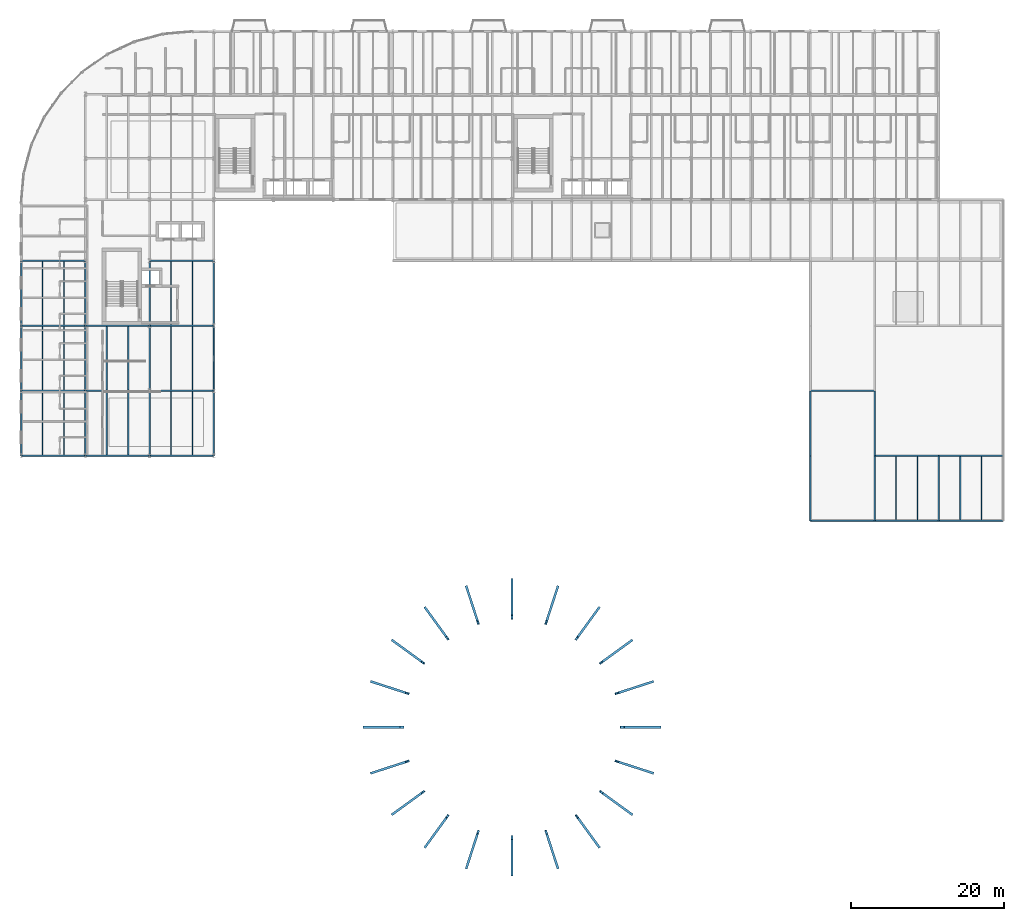
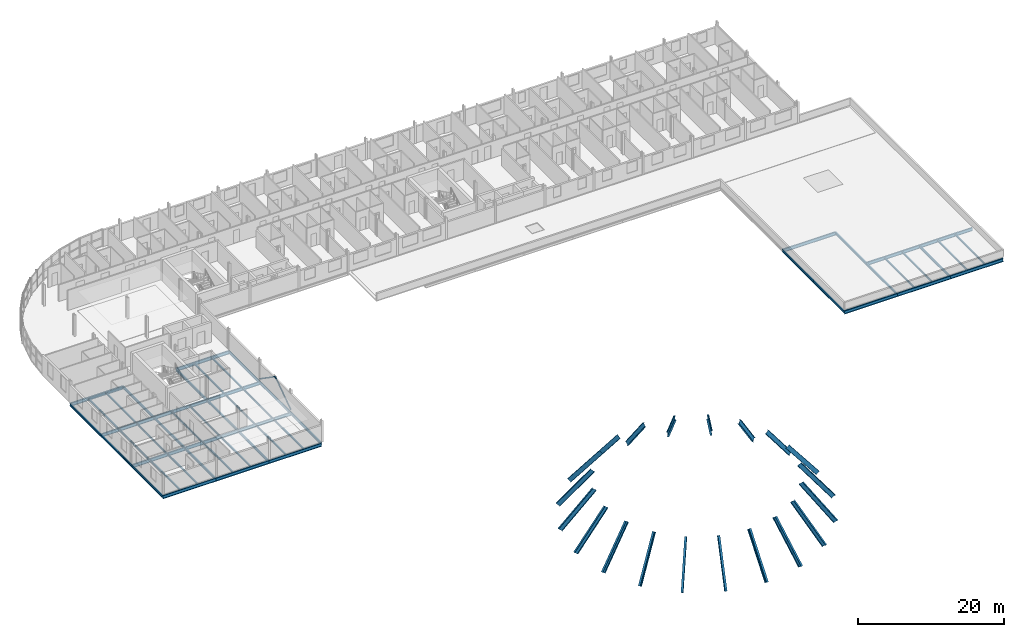
# One storey, part 8 of 36: 54 beams, 22 members.
"""IFC4 building model written with IfcOpenShell, lengths in metres."""

import ifcopenshell
import ifcopenshell.guid

model = None  # the IFC model being written
_history = None  # IfcOwnerHistory: only IFC2X3 demands one
_inside = {}  # id of a spatial element -> (the spatial element, [elements in it])
_under = {}  # id of a project, library or spatial element -> (it, [spatial elements below it])
_declared = {}  # id of a project -> (the project, [libraries it declares])
_typed = {}  # id of a type object -> (the type object, [elements of that type])
_made_of = {}  # id of a material, layer set ... -> (it, [elements and type objects made of it])


def new_model(schema):
    """Start an empty IFC model of exactly this schema.

    Asked for "IFC4X3", IfcOpenShell would pick the latest addendum, in which some entities
    have other attributes; the version numbers below select the first issue.
    IFC2X3 requires an IfcOwnerHistory on every rooted entity: one is made here for all.
    """
    global model, _history
    if schema == "IFC4X3":
        model = ifcopenshell.file(schema_version=(4, 3, 0, 0))
    else:
        model = ifcopenshell.file(schema=schema)
    _inside.clear()
    _under.clear()
    _declared.clear()
    _typed.clear()
    _made_of.clear()
    _history = None
    if model.schema == "IFC2X3":
        org = make("IfcOrganization", Name="unknown")
        user = make(
            "IfcPersonAndOrganization",
            ThePerson=make("IfcPerson", FamilyName="unknown"),
            TheOrganization=org,
        )
        app = make(
            "IfcApplication",
            ApplicationDeveloper=org,
            Version="unknown",
            ApplicationFullName="unknown",
            ApplicationIdentifier="unknown",
        )
        _history = make(
            "IfcOwnerHistory",
            OwningUser=user,
            OwningApplication=app,
            ChangeAction="ADDED",
            CreationDate=0,
        )
    return model


def make(cls, **values):
    """One entity of the class cls with the attributes given. An attribute that is None is left unset."""
    return model.create_entity(
        cls, **{name: value for name, value in values.items() if value is not None}
    )


def rooted(cls, **values):
    """An entity with a GlobalId (a new one), such as an element, a storey or a relation."""
    return make(cls, GlobalId=ifcopenshell.guid.new(), OwnerHistory=_history, **values)


def si_unit(unit_type, name, prefix=None):
    """IfcSIUnit, for example si_unit("LENGTHUNIT", "METRE", prefix="MILLI")."""
    return make("IfcSIUnit", UnitType=unit_type, Prefix=prefix, Name=name)


def assignment(units):
    """IfcUnitAssignment: the units of a project."""
    return None if units is None else make("IfcUnitAssignment", Units=units)


def point(xyz):
    """IfcCartesianPoint."""
    return None if xyz is None else make("IfcCartesianPoint", Coordinates=xyz)


def direction(xyz):
    """IfcDirection."""
    return None if xyz is None else make("IfcDirection", DirectionRatios=xyz)


def frame(location, z_axis=None, x_axis=None):
    """IfcAxis2Placement3D, a coordinate frame: its origin and axes. An axis left out is left unset."""
    return make(
        "IfcAxis2Placement3D",
        Location=point(location),
        Axis=direction(z_axis),
        RefDirection=direction(x_axis),
    )


def frame_2d(location, x_axis=None):
    """IfcAxis2Placement2D, a coordinate frame in the plane: its origin and x axis."""
    return make(
        "IfcAxis2Placement2D", Location=point(location), RefDirection=direction(x_axis)
    )


def origin():
    """The frame at (0, 0, 0) with its axes left unset."""
    return frame((0.0, 0.0, 0.0))


def origin_2d():
    """The frame at (0, 0) in the plane with its x axis left unset."""
    return frame_2d((0.0, 0.0))


def place(relative_to, where):
    """IfcLocalPlacement: puts the frame where relative to a parent placement (None: the world)."""
    return make(
        "IfcLocalPlacement", PlacementRelTo=relative_to, RelativePlacement=where
    )


def context(
    kind, dimensions, precision=None, world=None, true_north=None, identifier=None
):
    """IfcGeometricRepresentationContext, for example the 3D "Model" context."""
    return make(
        "IfcGeometricRepresentationContext",
        ContextIdentifier=identifier,
        ContextType=kind,
        CoordinateSpaceDimension=dimensions,
        Precision=precision,
        WorldCoordinateSystem=world,
        TrueNorth=true_north,
    )


def subcontext(parent, identifier, kind, view, scale=None):
    """IfcGeometricRepresentationSubContext, for example "Body" below "Model"."""
    return make(
        "IfcGeometricRepresentationSubContext",
        ContextIdentifier=identifier,
        ContextType=kind,
        ParentContext=parent,
        TargetScale=scale,
        TargetView=view,
    )


def project(units=None, contexts=None):
    """IfcProject with its units and contexts."""
    return rooted(
        "IfcProject",
        Name="project",
        RepresentationContexts=contexts,
        UnitsInContext=assignment(units),
    )


def spatial(cls, under=None, at=None, **own):
    """A site, building, storey or space (cls), placed at a placement, below another one or the project."""
    s = rooted(cls, ObjectPlacement=at, **own)
    if under is not None:
        _under.setdefault(under.id(), (under, []))[1].append(s)
    return s


def profile(cls, at=None, kind="AREA", **sizes):
    """A parametric profile (cls). Its sizes go by their IFC names, for example OverallWidth=200.0."""
    return make(cls, ProfileType=kind, Position=at, **sizes)


def hollow_circle(**sizes):
    """IfcCircleHollowProfileDef."""
    return profile("IfcCircleHollowProfileDef", **sizes)


def i_section(**sizes):
    """IfcIShapeProfileDef."""
    return profile("IfcIShapeProfileDef", **sizes)


def extrude(swept, where, along, depth):
    """IfcExtrudedAreaSolid: the profile swept, set in the frame where, extruded along a direction by depth."""
    return make(
        "IfcExtrudedAreaSolid",
        SweptArea=swept,
        Position=where,
        ExtrudedDirection=direction(along),
        Depth=depth,
    )


def shape(context_of_items, identifier, shape_type, items):
    """IfcShapeRepresentation: the items that make up one representation, for example the "Body"."""
    return make(
        "IfcShapeRepresentation",
        ContextOfItems=context_of_items,
        RepresentationIdentifier=identifier,
        RepresentationType=shape_type,
        Items=items,
    )


def material(Name=None, Category=None):
    """IfcMaterial."""
    return make("IfcMaterial", Name=Name, Category=Category)


def material_profile(
    of_material, cross_section, Name=None, Category=None, Priority=None
):
    """IfcMaterialProfile: a cross section and its material."""
    return make(
        "IfcMaterialProfile",
        Name=Name,
        Material=of_material,
        Profile=cross_section,
        Priority=Priority,
        Category=Category,
    )


def profile_set(profiles, Name=None, composite=None):
    """IfcMaterialProfileSet."""
    return make(
        "IfcMaterialProfileSet",
        Name=Name,
        MaterialProfiles=profiles,
        CompositeProfile=composite,
    )


def made_of(thing, what):
    """Note that an element or type object is made of a material, layer set ...; save() writes the relation."""
    if what is not None:
        _made_of.setdefault(what.id(), (what, []))[1].append(thing)
    return thing


def type_object(cls, material=None, **own):
    """A type object (cls), such as IfcWallType, which elements share."""
    return made_of(rooted(cls, **own), material)


def element(
    cls,
    number,
    at=None,
    inside=None,
    cuts=None,
    type_object=None,
    material=None,
    context=None,
    identifier="Body",
    shape_type=None,
    held_by="IfcProductDefinitionShape",
    body=None,
    shapes=None,
    **own,
):
    """One element of the class cls, such as IfcWall. Its Tag is "e" and its number.

    at: its placement. inside: the storey or other place that contains it. cuts: it is an
    opening in that element (IfcRelVoidsElement). A single representation is given by context,
    identifier, shape_type and body (its items); several are given by shapes. held_by: the class
    of the entity that holds the representations. save() writes the other relations.
    """
    e = rooted(cls, Tag="e%d" % number, ObjectPlacement=at, **own)
    if body is not None:
        shapes = [shape(context, identifier, shape_type, body)]
    if shapes is not None:
        e.Representation = make(held_by, Representations=shapes)
    if inside is not None:
        _inside.setdefault(inside.id(), (inside, []))[1].append(e)
    if cuts is not None:
        rooted(
            "IfcRelVoidsElement", RelatingBuildingElement=cuts, RelatedOpeningElement=e
        )
    if type_object is not None:
        _typed.setdefault(type_object.id(), (type_object, []))[1].append(e)
    return made_of(e, material)


def aggregate(whole, parts):
    """IfcRelAggregates: a whole, such as a stair, and the parts it consists of."""
    return rooted("IfcRelAggregates", RelatingObject=whole, RelatedObjects=parts)


def save(model, path):
    """Write the relations noted so far, then the file.

    IfcRelAggregates (storeys below a building ...), IfcRelContainedInSpatialStructure (elements
    in a storey), IfcRelDefinesByType, IfcRelAssociatesMaterial and IfcRelDeclares: one each for
    every whole, place, type object, material and project.
    """
    for whole, parts in _under.values():
        aggregate(whole, parts)
    for where, things in _inside.values():
        rooted(
            "IfcRelContainedInSpatialStructure",
            RelatedElements=things,
            RelatingStructure=where,
        )
    for kind, things in _typed.values():
        rooted("IfcRelDefinesByType", RelatedObjects=things, RelatingType=kind)
    for what, things in _made_of.values():
        rooted("IfcRelAssociatesMaterial", RelatedObjects=things, RelatingMaterial=what)
    for by, libraries in _declared.values():
        rooted("IfcRelDeclares", RelatingContext=by, RelatedDefinitions=libraries)
    model.write(path)


model = new_model("IFC4")

# Units and contexts
model_context = context("Model", 3, precision=1e-05, world=origin(), true_north=direction((0.0, 1.0)))
body_context = subcontext(model_context, "Body", "Model", "MODEL_VIEW")
ifc_project = project(units=[si_unit("LENGTHUNIT", "METRE"), si_unit("AREAUNIT", "SQUARE_METRE"), si_unit("VOLUMEUNIT", "CUBIC_METRE"), si_unit("PLANEANGLEUNIT", "RADIAN"), si_unit("MASSUNIT", "GRAM", prefix="KILO")], contexts=[model_context])

# Site, building, storey
site_placement = place(None, origin())
site = spatial("IfcSite", under=ifc_project, at=site_placement, CompositionType="ELEMENT")
building_placement = place(site_placement, origin())
building = spatial("IfcBuilding", under=site, at=building_placement, Name="Sefraquen Railside Congress Hotel", CompositionType="ELEMENT")
storey_placement = place(building_placement, frame((0.0, 0.0, 24.60009765625)))
storey = spatial("IfcBuildingStorey", under=building, at=storey_placement, Name="L05", CompositionType="ELEMENT", Elevation=24.60009765625)

# Beams
ifc_material_1 = material(Name="Steel S355JR", Category="steel")
ifc_material_profile_1 = material_profile(ifc_material_1, i_section(OverallWidth=0.179931640625, OverallDepth=0.39990234375, WebThickness=0.008544921875, FlangeThickness=0.013427734375, FilletRadius=0.02099609375, at=origin_2d()), Name="IPE 400")
ifc_profile_set_1 = profile_set([ifc_material_profile_1], Name="Steel S355JR")
beam_type_1 = type_object("IfcBeamType", Name="TB-BM-400I", PredefinedType="BEAM", material=ifc_profile_set_1)
for number, where, z_axis, x_axis, name in (
    (1, (0.0, 62.5, -0.460205078125), (0.0, 1.0, 0.0), (-1.0, 0.0, 0.0), "Floor beam BM-L05-1504"),
    (2, (0.0, 71.0, -0.460205078125), (0.0, 1.0, 0.0), (-1.0, 0.0, 0.0), "Floor beam BM-L05-1505"),
    (3, (0.0, 79.5, -0.460205078125), (0.0, 1.0, 0.0), (-1.0, 0.0, 0.0), "Floor beam BM-L05-1506"),
    (4, (8.39990234375, 62.5, -0.460205078125), (0.0, 1.0, 0.0), (-1.0, 0.0, 0.0), "Floor beam BM-L05-1507"),
    (5, (8.39990234375, 71.0, -0.460205078125), (0.0, 1.0, 0.0), (-1.0, 0.0, 0.0), "Floor beam BM-L05-1508"),
    (6, (8.39990234375, 79.5, -0.460205078125), (0.0, 1.0, 0.0), (-1.0, 0.0, 0.0), "Floor beam BM-L05-1509"),
    (7, (16.800048828125, 62.5, -0.460205078125), (0.0, 1.0, 0.0), (-1.0, 0.0, 0.0), "Floor beam BM-L05-1513"),
    (8, (16.800048828125, 71.0, -0.460205078125), (0.0, 1.0, 0.0), (-1.0, 0.0, 0.0), "Floor beam BM-L05-1514"),
    (9, (16.800048828125, 79.5, -0.460205078125), (0.0, 1.0, 0.0), (-1.0, 0.0, 0.0), "Floor beam BM-L05-1515"),
    (10, (25.199951171875, 62.5, -0.460205078125), (0.0, 1.0, 0.0), (-1.0, 0.0, 0.0), "Floor beam BM-L05-1519"),
    (11, (25.199951171875, 71.0, -0.460205078125), (0.0, 1.0, 0.0), (-1.0, 0.0, 0.0), "Floor beam BM-L05-1520"),
    (12, (25.199951171875, 79.5, -0.460205078125), (0.0, 1.0, 0.0), (-1.0, 0.0, 0.0), "Floor beam BM-L05-1521"),
    (13, (103.199951171875, 54.0, -0.460205078125), (0.0, 1.0, 0.0), (-1.0, 0.0, 0.0), "Floor beam BM-L05-1559"),
    (14, (103.199951171875, 62.5, -0.460205078125), (0.0, 1.0, 0.0), (-1.0, 0.0, 0.0), "Floor beam BM-L05-1560"),
    (15, (111.60009765625, 54.0, -0.460205078125), (0.0, 1.0, 0.0), (-1.0, 0.0, 0.0), "Floor beam BM-L05-1567"),
    (16, (111.60009765625, 62.5, -0.460205078125), (0.0, 1.0, 0.0), (-1.0, 0.0, 0.0), "Floor beam BM-L05-1568"),
    (17, (120.0, 54.0, -0.460205078125), (0.0, 1.0, 0.0), (-1.0, 0.0, 0.0), "Floor beam BM-L05-1575"),
):
    element("IfcBeam", number, at=place(storey_placement, frame(where, z_axis=z_axis, x_axis=x_axis)), inside=storey, type_object=beam_type_1, Name=name, PredefinedType="BEAM", context=body_context, shape_type="SweptSolid", body=[
        extrude(i_section(OverallWidth=0.179931640625, OverallDepth=0.39990234375, WebThickness=0.008544921875, FlangeThickness=0.013427734375, FilletRadius=0.02099609375, at=origin_2d()), origin(), (0.0, 0.0, 1.0), 8.5),
    ])
ifc_material_profile_2 = material_profile(ifc_material_1, i_section(OverallWidth=0.2099609375, OverallDepth=0.550048828125, WebThickness=0.010986328125, FlangeThickness=0.01708984375, FilletRadius=0.02392578125, at=origin_2d()), Name="IPE 550")
ifc_profile_set_2 = profile_set([ifc_material_profile_2], Name="Steel S355JR")
beam_type_2 = type_object("IfcBeamType", Name="TB-GIR-550", PredefinedType="T_BEAM", material=ifc_profile_set_2)
beam_1_placement = place(storey_placement, frame((103.199951171875, 54.0, -0.53515625), z_axis=(1.0, 0.0, 0.0), x_axis=(0.0, 1.0, 0.0)))
element("IfcBeam", 18, at=beam_1_placement, inside=storey, type_object=beam_type_2, Name="Primary girder BM-L05-1423", PredefinedType="T_BEAM", context=body_context, shape_type="SweptSolid", body=[
    extrude(i_section(OverallWidth=0.2099609375, OverallDepth=0.550048828125, WebThickness=0.010986328125, FlangeThickness=0.01708984375, FilletRadius=0.02392578125, at=origin_2d()), origin(), (0.0, 0.0, 1.0), 8.400146484375),
])
for number, where, z_axis, x_axis, name in (
    (19, (111.60009765625, 54.0, -0.53515625), (1.0, 0.0, 0.0), (0.0, 1.0, 0.0), "Primary girder BM-L05-1424"),
    (20, (120.0, 54.0, -0.53515625), (1.0, 0.0, 0.0), (0.0, 1.0, 0.0), "Primary girder BM-L05-1425"),
    (21, (0.0, 62.5, -0.53515625), (1.0, 0.0, 0.0), (0.0, 1.0, 0.0), "Primary girder BM-L05-1426"),
):
    element("IfcBeam", number, at=place(storey_placement, frame(where, z_axis=z_axis, x_axis=x_axis)), inside=storey, type_object=beam_type_2, Name=name, PredefinedType="T_BEAM", context=body_context, shape_type="SweptSolid", body=[
        extrude(i_section(OverallWidth=0.2099609375, OverallDepth=0.550048828125, WebThickness=0.010986328125, FlangeThickness=0.01708984375, FilletRadius=0.02392578125, at=origin_2d()), origin(), (0.0, 0.0, 1.0), 8.39990234375),
    ])
beam_2_placement = place(storey_placement, frame((8.39990234375, 62.5, -0.53515625), z_axis=(1.0, 0.0, 0.0), x_axis=(0.0, 1.0, 0.0)))
element("IfcBeam", 22, at=beam_2_placement, inside=storey, type_object=beam_type_2, Name="Primary girder BM-L05-1427", PredefinedType="T_BEAM", context=body_context, shape_type="SweptSolid", body=[
    extrude(i_section(OverallWidth=0.2099609375, OverallDepth=0.550048828125, WebThickness=0.010986328125, FlangeThickness=0.01708984375, FilletRadius=0.02392578125, at=origin_2d()), origin(), (0.0, 0.0, 1.0), 8.400146484375),
])
for number, where, z_axis, x_axis, name in (
    (23, (16.800048828125, 62.5, -0.53515625), (1.0, 0.0, 0.0), (0.0, 1.0, 0.0), "Primary girder BM-L05-1428"),
    (24, (111.60009765625, 62.5, -0.53515625), (1.0, 0.0, 0.0), (0.0, 1.0, 0.0), "Primary girder BM-L05-1429"),
    (25, (120.0, 62.5, -0.53515625), (1.0, 0.0, 0.0), (0.0, 1.0, 0.0), "Primary girder BM-L05-1430"),
    (26, (0.0, 71.0, -0.53515625), (1.0, 0.0, 0.0), (0.0, 1.0, 0.0), "Primary girder BM-L05-1431"),
):
    element("IfcBeam", number, at=place(storey_placement, frame(where, z_axis=z_axis, x_axis=x_axis)), inside=storey, type_object=beam_type_2, Name=name, PredefinedType="T_BEAM", context=body_context, shape_type="SweptSolid", body=[
        extrude(i_section(OverallWidth=0.2099609375, OverallDepth=0.550048828125, WebThickness=0.010986328125, FlangeThickness=0.01708984375, FilletRadius=0.02392578125, at=origin_2d()), origin(), (0.0, 0.0, 1.0), 8.39990234375),
    ])
beam_3_placement = place(storey_placement, frame((8.39990234375, 71.0, -0.53515625), z_axis=(1.0, 0.0, 0.0), x_axis=(0.0, 1.0, 0.0)))
element("IfcBeam", 27, at=beam_3_placement, inside=storey, type_object=beam_type_2, Name="Primary girder BM-L05-1432", PredefinedType="T_BEAM", context=body_context, shape_type="SweptSolid", body=[
    extrude(i_section(OverallWidth=0.2099609375, OverallDepth=0.550048828125, WebThickness=0.010986328125, FlangeThickness=0.01708984375, FilletRadius=0.02392578125, at=origin_2d()), origin(), (0.0, 0.0, 1.0), 8.400146484375),
])
beam_4_placement = place(storey_placement, frame((16.800048828125, 71.0, -0.53515625), z_axis=(1.0, 0.0, 0.0), x_axis=(0.0, 1.0, 0.0)))
element("IfcBeam", 28, at=beam_4_placement, inside=storey, type_object=beam_type_2, Name="Primary girder BM-L05-1433", PredefinedType="T_BEAM", context=body_context, shape_type="SweptSolid", body=[
    extrude(i_section(OverallWidth=0.2099609375, OverallDepth=0.550048828125, WebThickness=0.010986328125, FlangeThickness=0.01708984375, FilletRadius=0.02392578125, at=origin_2d()), origin(), (0.0, 0.0, 1.0), 8.39990234375),
])
beam_5_placement = place(storey_placement, frame((103.199951171875, 71.0, -0.53515625), z_axis=(1.0, 0.0, 0.0), x_axis=(0.0, 1.0, 0.0)))
element("IfcBeam", 29, at=beam_5_placement, inside=storey, type_object=beam_type_2, Name="Primary girder BM-L05-1434", PredefinedType="T_BEAM", context=body_context, shape_type="SweptSolid", body=[
    extrude(i_section(OverallWidth=0.2099609375, OverallDepth=0.550048828125, WebThickness=0.010986328125, FlangeThickness=0.01708984375, FilletRadius=0.02392578125, at=origin_2d()), origin(), (0.0, 0.0, 1.0), 8.400146484375),
])
beam_6_placement = place(storey_placement, frame((0.0, 79.5, -0.53515625), z_axis=(1.0, 0.0, 0.0), x_axis=(0.0, 1.0, 0.0)))
element("IfcBeam", 30, at=beam_6_placement, inside=storey, type_object=beam_type_2, Name="Primary girder BM-L05-1435", PredefinedType="T_BEAM", context=body_context, shape_type="SweptSolid", body=[
    extrude(i_section(OverallWidth=0.2099609375, OverallDepth=0.550048828125, WebThickness=0.010986328125, FlangeThickness=0.01708984375, FilletRadius=0.02392578125, at=origin_2d()), origin(), (0.0, 0.0, 1.0), 8.39990234375),
])
beam_7_placement = place(storey_placement, frame((8.39990234375, 79.5, -0.53515625), z_axis=(1.0, 0.0, 0.0), x_axis=(0.0, 1.0, 0.0)))
element("IfcBeam", 31, at=beam_7_placement, inside=storey, type_object=beam_type_2, Name="Primary girder BM-L05-1436", PredefinedType="T_BEAM", context=body_context, shape_type="SweptSolid", body=[
    extrude(i_section(OverallWidth=0.2099609375, OverallDepth=0.550048828125, WebThickness=0.010986328125, FlangeThickness=0.01708984375, FilletRadius=0.02392578125, at=origin_2d()), origin(), (0.0, 0.0, 1.0), 8.400146484375),
])
for number, where, z_axis, x_axis, name in (
    (32, (16.800048828125, 79.5, -0.53515625), (1.0, 0.0, 0.0), (0.0, 1.0, 0.0), "Primary girder BM-L05-1437"),
    (33, (0.0, 88.0, -0.53515625), (1.0, 0.0, 0.0), (0.0, 1.0, 0.0), "Primary girder BM-L05-1440"),
    (34, (16.800048828125, 88.0, -0.53515625), (1.0, 0.0, 0.0), (0.0, 1.0, 0.0), "Primary girder BM-L05-1441"),
):
    element("IfcBeam", number, at=place(storey_placement, frame(where, z_axis=z_axis, x_axis=x_axis)), inside=storey, type_object=beam_type_2, Name=name, PredefinedType="T_BEAM", context=body_context, shape_type="SweptSolid", body=[
        extrude(i_section(OverallWidth=0.2099609375, OverallDepth=0.550048828125, WebThickness=0.010986328125, FlangeThickness=0.01708984375, FilletRadius=0.02392578125, at=origin_2d()), origin(), (0.0, 0.0, 1.0), 8.39990234375),
    ])
ifc_material_profile_3 = material_profile(ifc_material_1, i_section(OverallWidth=0.14990234375, OverallDepth=0.300048828125, WebThickness=0.007080078125, FlangeThickness=0.0107421875, FilletRadius=0.014892578125, at=origin_2d()), Name="IPE 300")
ifc_profile_set_3 = profile_set([ifc_material_profile_3], Name="Steel S355JR")
beam_type_3 = type_object("IfcBeamType", Name="TB-JST-300", PredefinedType="JOIST", material=ifc_profile_set_3)
for number, where, z_axis, x_axis, name in (
    (35, (2.800048828125, 62.5849609375, -0.41015625), (0.0, 1.0, 0.0), (-1.0, 0.0, 0.0), "Composite floor joist BM-L05-J0938"),
    (36, (5.60009765625, 62.5849609375, -0.41015625), (0.0, 1.0, 0.0), (-1.0, 0.0, 0.0), "Composite floor joist BM-L05-J0939"),
    (37, (2.800048828125, 71.0849609375, -0.41015625), (0.0, 1.0, 0.0), (-1.0, 0.0, 0.0), "Composite floor joist BM-L05-J0940"),
    (38, (5.60009765625, 71.0849609375, -0.41015625), (0.0, 1.0, 0.0), (-1.0, 0.0, 0.0), "Composite floor joist BM-L05-J0941"),
    (39, (2.800048828125, 79.5849609375, -0.41015625), (0.0, 1.0, 0.0), (-1.0, 0.0, 0.0), "Composite floor joist BM-L05-J0942"),
    (40, (5.60009765625, 79.5849609375, -0.41015625), (0.0, 1.0, 0.0), (-1.0, 0.0, 0.0), "Composite floor joist BM-L05-J0943"),
    (41, (11.199951171875, 62.5849609375, -0.41015625), (0.0, 1.0, 0.0), (-1.0, 0.0, 0.0), "Composite floor joist BM-L05-J0944"),
    (42, (14.0, 62.5849609375, -0.41015625), (0.0, 1.0, 0.0), (-1.0, 0.0, 0.0), "Composite floor joist BM-L05-J0945"),
    (43, (11.199951171875, 71.0849609375, -0.41015625), (0.0, 1.0, 0.0), (-1.0, 0.0, 0.0), "Composite floor joist BM-L05-J0946"),
    (44, (14.0, 71.0849609375, -0.41015625), (0.0, 1.0, 0.0), (-1.0, 0.0, 0.0), "Composite floor joist BM-L05-J0947"),
    (45, (19.60009765625, 62.5849609375, -0.41015625), (0.0, 1.0, 0.0), (-1.0, 0.0, 0.0), "Composite floor joist BM-L05-J0952"),
    (46, (22.39990234375, 62.5849609375, -0.41015625), (0.0, 1.0, 0.0), (-1.0, 0.0, 0.0), "Composite floor joist BM-L05-J0953"),
    (47, (19.60009765625, 71.0849609375, -0.41015625), (0.0, 1.0, 0.0), (-1.0, 0.0, 0.0), "Composite floor joist BM-L05-J0954"),
    (48, (22.39990234375, 71.0849609375, -0.41015625), (0.0, 1.0, 0.0), (-1.0, 0.0, 0.0), "Composite floor joist BM-L05-J0955"),
    (49, (19.60009765625, 79.5849609375, -0.41015625), (0.0, 1.0, 0.0), (-1.0, 0.0, 0.0), "Composite floor joist BM-L05-J0956"),
    (50, (22.39990234375, 79.5849609375, -0.41015625), (0.0, 1.0, 0.0), (-1.0, 0.0, 0.0), "Composite floor joist BM-L05-J0957"),
    (51, (114.39990234375, 54.0849609375, -0.41015625), (0.0, 1.0, 0.0), (-1.0, 0.0, 0.0), "Composite floor joist BM-L05-J1036"),
    (52, (117.199951171875, 54.0849609375, -0.41015625), (0.0, 1.0, 0.0), (-1.0, 0.0, 0.0), "Composite floor joist BM-L05-J1037"),
    (53, (122.800048828125, 54.0849609375, -0.41015625), (0.0, 1.0, 0.0), (-1.0, 0.0, 0.0), "Composite floor joist BM-L05-J1048"),
    (54, (125.60009765625, 54.0849609375, -0.41015625), (0.0, 1.0, 0.0), (-1.0, 0.0, 0.0), "Composite floor joist BM-L05-J1049"),
):
    element("IfcBeam", number, at=place(storey_placement, frame(where, z_axis=z_axis, x_axis=x_axis)), inside=storey, type_object=beam_type_3, Name=name, PredefinedType="JOIST", context=body_context, shape_type="SweptSolid", body=[
        extrude(i_section(OverallWidth=0.14990234375, OverallDepth=0.300048828125, WebThickness=0.007080078125, FlangeThickness=0.0107421875, FilletRadius=0.014892578125, at=origin_2d()), origin(), (0.0, 0.0, 1.0), 8.330078125),
    ])

# Members
ifc_material_2 = material(Name="Steel S355J2", Category="steel")
ifc_material_profile_4 = material_profile(ifc_material_2, hollow_circle(Radius=0.109619140625, WallThickness=0.010009765625, at=origin_2d()), Name="CHS 219.1x10")
ifc_profile_set_4 = profile_set([ifc_material_profile_4], Name="Steel S355J2")
member_type_1 = type_object("IfcMemberType", Name="TM-BR-219", PredefinedType="BRACE", material=ifc_profile_set_4)
for number, where, z_axis, x_axis, name in (
    (55, (25.199951171875, 71.0, 0.14990234375), (0.0, 0.822406427699, 0.568900402249), (-1.0, 0.0, 0.0), "Chevron braced-frame diagonal BF2-L L05"),
    (56, (25.199951171875, 79.5, 0.14990234375), (0.0, -0.822406427699, 0.568900402249), (1.0, 0.0, 0.0), "Chevron braced-frame diagonal BF2-R L05"),
):
    element("IfcMember", number, at=place(storey_placement, frame(where, z_axis=z_axis, x_axis=x_axis)), inside=storey, type_object=member_type_1, Name=name, PredefinedType="BRACE", context=body_context, shape_type="SweptSolid", body=[
        extrude(hollow_circle(Radius=0.109619140625, WallThickness=0.010009765625, at=origin_2d()), origin(), (0.0, 0.0, 1.0), 5.167724609375),
    ])
ifc_material_profile_5 = material_profile(ifc_material_2, i_section(OverallWidth=0.300048828125, OverallDepth=0.679931640625, WebThickness=0.01611328125, FlangeThickness=0.028076171875, at=origin_2d()), Name="DR 680x300")
ifc_profile_set_5 = profile_set([ifc_material_profile_5], Name="Steel S355J2")
member_type_2 = type_object("IfcMemberType", Name="TM-RAF-680", PredefinedType="RAFTER", material=ifc_profile_set_5)
member_1_placement = place(storey_placement, frame((83.39990234375, 27.0, -4.18017578125), z_axis=(-0.618368706733, 0.0, 0.78588812342), x_axis=(0.0, -1.0, 0.0)))
element("IfcMember", 57, at=member_1_placement, inside=storey, type_object=member_type_2, Name="Dome radial rib rafter 01.1", PredefinedType="RAFTER", context=body_context, shape_type="SweptSolid", body=[
    extrude(i_section(OverallWidth=0.300048828125, OverallDepth=0.679931640625, WebThickness=0.01611328125, FlangeThickness=0.028076171875, at=origin_2d()), origin(), (0.0, 0.0, 1.0), 7.761962890625),
])
for number, where, z_axis, x_axis, name in (
    (58, (82.460205078125, 32.93310546875, -4.18017578125), (-0.588105731376, -0.191107627759, 0.785881367214), (0.309046968381, -0.951046776628, 0.0), "Dome radial rib rafter 02.1"),
    (59, (79.733154296875, 38.285400390625, -4.18017578125), (-0.500287097917, -0.363467729381, 0.785877871782), (0.587772420479, -0.809026317077, 0.0), "Dome radial rib rafter 03.1"),
    (60, (75.485595703125, 42.533203125, -4.18017578125), (-0.363495026459, -0.50028137846, 0.785868887351), (0.809002130588, -0.587805709996, 0.0), "Dome radial rib rafter 04.1"),
):
    element("IfcMember", number, at=place(storey_placement, frame(where, z_axis=z_axis, x_axis=x_axis)), inside=storey, type_object=member_type_2, Name=name, PredefinedType="RAFTER", context=body_context, shape_type="SweptSolid", body=[
        extrude(i_section(OverallWidth=0.300048828125, OverallDepth=0.679931640625, WebThickness=0.01611328125, FlangeThickness=0.028076171875, at=origin_2d()), origin(), (0.0, 0.0, 1.0), 7.76220703125),
    ])
member_2_placement = place(storey_placement, frame((70.133056640625, 45.26025390625, -4.18017578125), z_axis=(-0.191077323343, -0.588109266152, 0.785886090709), x_axis=(0.951061725471, -0.30900096172, 0.0)))
element("IfcMember", 61, at=member_2_placement, inside=storey, type_object=member_type_2, Name="Dome radial rib rafter 05.1", PredefinedType="RAFTER", context=body_context, shape_type="SweptSolid", body=[
    extrude(i_section(OverallWidth=0.300048828125, OverallDepth=0.679931640625, WebThickness=0.01611328125, FlangeThickness=0.028076171875, at=origin_2d()), origin(), (0.0, 0.0, 1.0), 7.761962890625),
])
for number, where, z_axis, x_axis, name in (
    (62, (64.199951171875, 46.199951171875, -4.18017578125), (0.0, -0.618388132259, 0.785872838239), (1.0, 0.0, 0.0), "Dome radial rib rafter 06.1"),
    (63, (58.266845703125, 45.26025390625, -4.18017578125), (0.191107627759, -0.588105731376, 0.785881367214), (0.951046776628, 0.309046968381, 0.0), "Dome radial rib rafter 07.1"),
    (64, (52.91455078125, 42.533203125, -4.18017578125), (0.363467729381, -0.500287097917, 0.785877871782), (0.809026317077, 0.587772420479, 0.0), "Dome radial rib rafter 08.1"),
    (65, (48.6669921875, 38.285400390625, -4.18017578125), (0.500287097917, -0.363467729381, 0.785877871782), (0.587772420479, 0.809026317077, 0.0), "Dome radial rib rafter 09.1"),
    (66, (45.939697265625, 32.93310546875, -4.18017578125), (0.588126305122, -0.191104092728, 0.7858668303), (0.309032019345, 0.951051634255, 0.0), "Dome radial rib rafter 10.1"),
    (67, (45.0, 27.0, -4.18017578125), (0.618388132259, 0.0, 0.785872838239), (0.0, 1.0, 0.0), "Dome radial rib rafter 11.1"),
    (68, (45.939697265625, 21.06689453125, -4.18017578125), (0.588126305122, 0.191104092728, 0.7858668303), (-0.309032019345, 0.951051634255, 0.0), "Dome radial rib rafter 12.1"),
    (69, (48.6669921875, 15.714599609375, -4.18017578125), (0.500287097917, 0.363467729381, 0.785877871782), (-0.587772420479, 0.809026317077, 0.0), "Dome radial rib rafter 13.1"),
    (70, (52.91455078125, 11.466796875, -4.18017578125), (0.363467729381, 0.500287097917, 0.785877871782), (-0.809026317077, 0.587772420479, 0.0), "Dome radial rib rafter 14.1"),
    (71, (58.266845703125, 8.73974609375, -4.18017578125), (0.191107627759, 0.588105731376, 0.785881367214), (-0.951046776628, 0.309046968381, 0.0), "Dome radial rib rafter 15.1"),
    (72, (64.199951171875, 7.800048828125, -4.18017578125), (0.0, 0.618388132259, 0.785872838239), (-1.0, 0.0, 0.0), "Dome radial rib rafter 16.1"),
):
    element("IfcMember", number, at=place(storey_placement, frame(where, z_axis=z_axis, x_axis=x_axis)), inside=storey, type_object=member_type_2, Name=name, PredefinedType="RAFTER", context=body_context, shape_type="SweptSolid", body=[
        extrude(i_section(OverallWidth=0.300048828125, OverallDepth=0.679931640625, WebThickness=0.01611328125, FlangeThickness=0.028076171875, at=origin_2d()), origin(), (0.0, 0.0, 1.0), 7.76220703125),
    ])
member_3_placement = place(storey_placement, frame((70.133056640625, 8.73974609375, -4.18017578125), z_axis=(-0.191077323343, 0.588109266152, 0.785886090709), x_axis=(-0.951061725471, -0.30900096172, 0.0)))
element("IfcMember", 73, at=member_3_placement, inside=storey, type_object=member_type_2, Name="Dome radial rib rafter 17.1", PredefinedType="RAFTER", context=body_context, shape_type="SweptSolid", body=[
    extrude(i_section(OverallWidth=0.300048828125, OverallDepth=0.679931640625, WebThickness=0.01611328125, FlangeThickness=0.028076171875, at=origin_2d()), origin(), (0.0, 0.0, 1.0), 7.761962890625),
])
for number, where, z_axis, x_axis, name in (
    (74, (75.485595703125, 11.466796875, -4.18017578125), (-0.363495026459, 0.50028137846, 0.785868887351), (-0.809002130588, -0.587805709996, 0.0), "Dome radial rib rafter 18.1"),
    (75, (79.733154296875, 15.714599609375, -4.18017578125), (-0.500287097917, 0.363467729381, 0.785877871782), (-0.587772420479, -0.809026317077, 0.0), "Dome radial rib rafter 19.1"),
    (76, (82.460205078125, 21.06689453125, -4.18017578125), (-0.588105731376, 0.191107627759, 0.785881367214), (-0.309046968381, -0.951046776628, 0.0), "Dome radial rib rafter 20.1"),
):
    element("IfcMember", number, at=place(storey_placement, frame(where, z_axis=z_axis, x_axis=x_axis)), inside=storey, type_object=member_type_2, Name=name, PredefinedType="RAFTER", context=body_context, shape_type="SweptSolid", body=[
        extrude(i_section(OverallWidth=0.300048828125, OverallDepth=0.679931640625, WebThickness=0.01611328125, FlangeThickness=0.028076171875, at=origin_2d()), origin(), (0.0, 0.0, 1.0), 7.76220703125),
    ])

save(model, "model.ifc")
